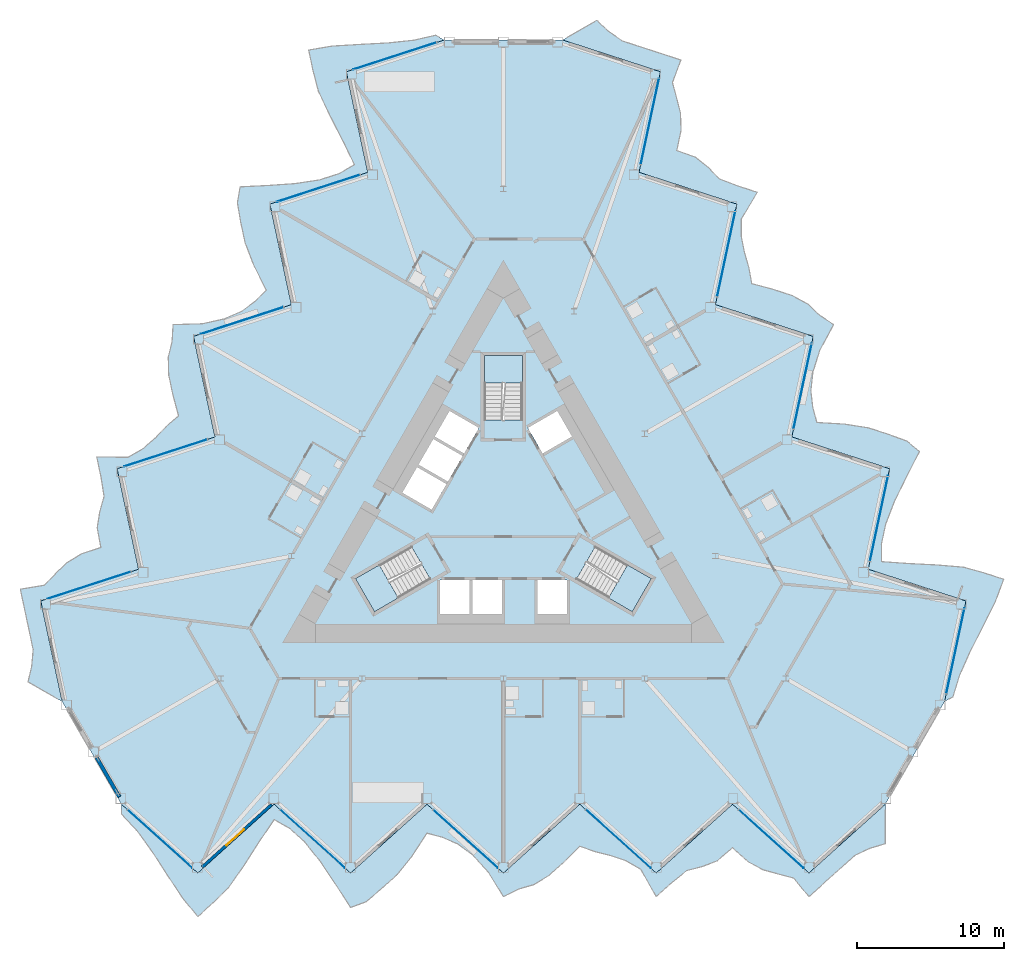
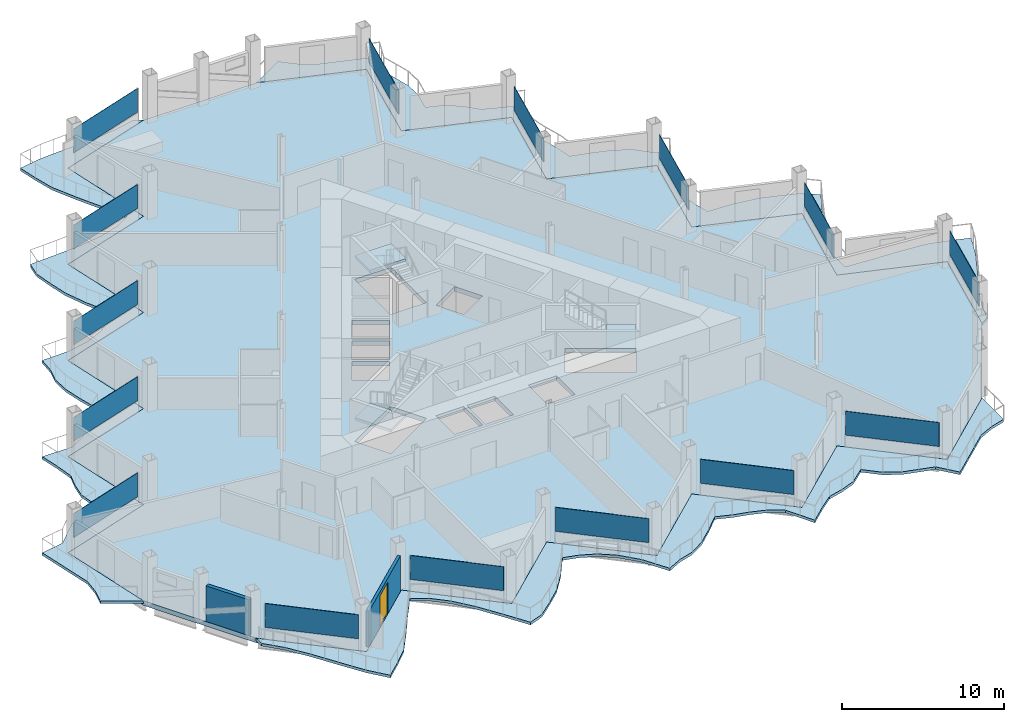
# One storey, part 10 of 23: 15 plates, 7 slabs, 2 walls, 1 door, 1 opening, 18 elements without a shape of their own.
"""IFC4 building model written with IfcOpenShell, lengths in metres."""

from ifc_helpers import new_model, si_unit, direction, frame, frame_2d, origin, origin_2d, place, context, subcontext, project, spatial, polyline, rectangle, outline, extrude, material, layer, layer_set, type_object, element, fill, aggregate, save


model = new_model("IFC4")

# Units and contexts
model_context = context("Model", 3, precision=1e-05, world=origin(), true_north=direction((0.0, 1.0)))
body_context = subcontext(model_context, "Body", "Model", "MODEL_VIEW")
ifc_project = project(units=[si_unit("LENGTHUNIT", "METRE"), si_unit("AREAUNIT", "SQUARE_METRE"), si_unit("VOLUMEUNIT", "CUBIC_METRE"), si_unit("PLANEANGLEUNIT", "RADIAN"), si_unit("MASSUNIT", "GRAM", prefix="KILO")], contexts=[model_context])

# Site, building, storey
site_placement = place(None, origin())
site = spatial("IfcSite", under=ifc_project, at=site_placement, CompositionType="ELEMENT")
building_placement = place(site_placement, origin())
building = spatial("IfcBuilding", under=site, at=building_placement, Name="Cormorant Prow Tower", CompositionType="ELEMENT")
storey_placement = place(building_placement, frame((0.0, 0.0, 252.60009765625)))
storey = spatial("IfcBuildingStorey", under=building, at=storey_placement, Name="L56", CompositionType="ELEMENT", Elevation=252.60009765625)

# Slabs
ifc_material_1 = material(Name="Concrete C40/50", Category="concrete")
ifc_layer_1 = layer(ifc_material_1, 0.199951171875)
ifc_layer_set_1 = layer_set([ifc_layer_1], Name="Concrete C40/50")
slab_type_1 = type_object("IfcSlabType", Name="Balcony slab 200", PredefinedType="FLOOR", material=ifc_layer_set_1)
slab_1_placement = place(storey_placement, frame((0.0, 0.0, -0.2001953125)))
element("IfcSlab", 1, at=slab_1_placement, inside=storey, type_object=slab_type_1, Name="Balcony slab S L56", PredefinedType="FLOOR", context=body_context, shape_type="SweptSolid", body=[
    extrude(outline(polyline([(-25.8974609375, -19.593505859375), (-25.8974609375, -20.243408203125), (-24.861572265625, -21.35888671875), (-23.82568359375, -22.7861328125), (-22.789794921875, -24.380859375), (-21.75390625, -25.949462890625), (-20.718017578125, -27.207275390625), (-19.68212890625, -26.2744140625), (-18.646240234375, -25.255615234375), (-17.6103515625, -23.767822265625), (-16.574462890625, -22.16064453125), (-15.53857421875, -20.630859375), (-14.502685546875, -21.21875), (-13.466796875, -22.15966796875), (-12.430908203125, -23.450927734375), (-11.39501953125, -24.98779296875), (-10.359130859375, -26.593994140625), (-9.322998046875, -26.20703125), (-8.287109375, -25.341796875), (-7.251220703125, -24.408935546875), (-6.21533203125, -23.126953125), (-5.179443359375, -21.552978515625), (-4.1435546875, -21.8271484375), (-3.107666015625, -22.2763671875), (-2.07177734375, -23.0419921875), (-1.035888671875, -24.1728515625), (0.0, -25.857177734375), (1.035888671875, -25.34326171875), (2.07177734375, -25.040771484375), (3.107666015625, -24.408935546875), (4.1435546875, -23.476318359375), (5.179443359375, -22.438232421875), (6.21533203125, -22.806884765625), (7.251220703125, -23.064208984375), (8.287109375, -23.40771484375), (9.322998046875, -24.009765625), (10.359130859375, -25.857177734375), (11.39501953125, -24.924560546875), (12.430908203125, -24.08447265625), (13.466796875, -23.82373046875), (14.502685546875, -23.427001953125), (15.53857421875, -22.54345703125), (16.574462890625, -23.476318359375), (17.6103515625, -24.03466796875), (18.646240234375, -24.3212890625), (19.68212890625, -24.599365234375), (20.718017578125, -25.857177734375), (21.75390625, -24.924560546875), (22.789794921875, -23.99169921875), (23.82568359375, -23.05908203125), (24.861572265625, -22.57470703125), (25.8974609375, -22.266357421875), (25.8974609375, -19.593505859375), (24.861572265625, -20.5263671875), (23.82568359375, -21.458984375), (22.789794921875, -22.3916015625), (21.75390625, -23.324462890625), (20.718017578125, -24.257080078125), (19.68212890625, -23.324462890625), (18.646240234375, -22.3916015625), (17.6103515625, -21.458984375), (16.574462890625, -20.5263671875), (15.53857421875, -19.593505859375), (14.502685546875, -20.5263671875), (13.466796875, -21.458984375), (12.430908203125, -22.3916015625), (11.39501953125, -23.324462890625), (10.359130859375, -24.257080078125), (9.322998046875, -23.324462890625), (8.287109375, -22.3916015625), (7.251220703125, -21.458984375), (6.21533203125, -20.5263671875), (5.179443359375, -19.593505859375), (4.1435546875, -20.5263671875), (3.107666015625, -21.458984375), (2.07177734375, -22.3916015625), (1.035888671875, -23.324462890625), (0.0, -24.257080078125), (-1.035888671875, -23.324462890625), (-2.07177734375, -22.3916015625), (-3.107666015625, -21.458984375), (-4.1435546875, -20.5263671875), (-5.179443359375, -19.593505859375), (-6.21533203125, -20.5263671875), (-7.251220703125, -21.458984375), (-8.287109375, -22.3916015625), (-9.322998046875, -23.324462890625), (-10.359130859375, -24.257080078125), (-11.39501953125, -23.324462890625), (-12.430908203125, -22.3916015625), (-13.466796875, -21.458984375), (-14.502685546875, -20.5263671875), (-15.53857421875, -19.593505859375), (-16.574462890625, -20.5263671875), (-17.6103515625, -21.458984375), (-18.646240234375, -22.3916015625), (-19.68212890625, -23.324462890625), (-20.718017578125, -24.257080078125), (-21.75390625, -23.324462890625), (-22.789794921875, -22.3916015625), (-23.82568359375, -21.458984375), (-24.861572265625, -20.5263671875), (-25.8974609375, -19.593505859375)])), origin(), (0.0, 0.0, 1.0), 0.2001953125),
])
slab_2_placement = place(storey_placement, frame((0.0, 0.0, -0.2001953125)))
element("IfcSlab", 2, at=slab_2_placement, inside=storey, type_object=slab_type_1, Name="Balcony slab ENE L56", PredefinedType="FLOOR", context=body_context, shape_type="SweptSolid", body=[
    extrude(outline(polyline([(29.917236328125, -12.631103515625), (30.480224609375, -12.30615234375), (30.92822265625, -10.851318359375), (31.646240234375, -9.240478515625), (32.50927734375, -7.546142578125), (33.349853515625, -5.86474609375), (33.921142578125, -4.3388671875), (32.595458984375, -3.907958984375), (31.195068359375, -3.520263671875), (29.388671875, -3.3671875), (27.478759765625, -3.273681640625), (25.63623046875, -3.141357421875), (25.62744140625, -1.9501953125), (25.924072265625, -0.582763671875), (26.5244140625, 0.9599609375), (27.337646484375, 2.625732421875), (28.210693359375, 4.325927734375), (27.357421875, 5.029541015625), (26.090087890625, 5.493896484375), (24.764404296875, 5.924560546875), (23.13623046875, 6.1806640625), (21.255126953125, 6.291015625), (20.974609375, 7.3251953125), (20.845703125, 8.44677734375), (20.990966796875, 9.726806640625), (21.452392578125, 11.189208984375), (22.39306640625, 12.928466796875), (21.429931640625, 13.56884765625), (20.650146484375, 14.314697265625), (19.5849609375, 14.895751953125), (18.25927734375, 15.32666015625), (16.84228515625, 15.70458984375), (16.6435546875, 16.7861328125), (16.3486328125, 17.81201171875), (16.128173828125, 18.880859375), (16.13134765625, 20.078857421875), (17.21337890625, 21.899658203125), (15.8876953125, 22.33056640625), (14.642333984375, 22.8076171875), (13.8984375, 23.57421875), (13.037109375, 24.273193359375), (11.75390625, 24.728515625), (12.043701171875, 26.092041015625), (12.009521484375, 27.268310546875), (11.73974609375, 28.308837890625), (11.462646484375, 29.344970703125), (12.033935546875, 30.870849609375), (10.708251953125, 31.3017578125), (9.382568359375, 31.732421875), (8.056884765625, 32.1630859375), (7.119384765625, 32.818115234375), (6.33447265625, 33.56103515625), (4.019775390625, 32.224609375), (5.345458984375, 31.7939453125), (6.671142578125, 31.36328125), (7.996826171875, 30.932373046875), (9.322509765625, 30.501708984375), (10.648193359375, 30.071044921875), (10.3583984375, 28.70751953125), (10.068603515625, 27.343994140625), (9.77880859375, 25.98046875), (9.489013671875, 24.616943359375), (9.19921875, 23.25341796875), (10.52490234375, 22.82275390625), (11.8505859375, 22.39208984375), (13.17626953125, 21.961181640625), (14.502197265625, 21.530517578125), (15.827880859375, 21.099853515625), (15.5380859375, 19.736328125), (15.248291015625, 18.372802734375), (14.958251953125, 17.00927734375), (14.66845703125, 15.645751953125), (14.378662109375, 14.2822265625), (15.704345703125, 13.8515625), (17.0302734375, 13.4208984375), (18.35595703125, 12.989990234375), (19.681640625, 12.559326171875), (21.00732421875, 12.128662109375), (20.717529296875, 10.76513671875), (20.427734375, 9.401611328125), (20.137939453125, 8.0380859375), (19.84814453125, 6.674560546875), (19.558349609375, 5.311279296875), (20.884033203125, 4.88037109375), (22.209716796875, 4.44970703125), (23.535400390625, 4.018798828125), (24.861083984375, 3.588134765625), (26.186767578125, 3.157470703125), (25.89697265625, 1.7939453125), (25.607177734375, 0.430419921875), (25.3173828125, -0.93310546875), (25.027587890625, -2.296630859375), (24.73779296875, -3.659912109375), (26.0634765625, -4.0908203125), (27.38916015625, -4.521484375), (28.71484375, -4.9521484375), (30.04052734375, -5.383056640625), (31.366455078125, -5.813720703125), (31.076416015625, -7.17724609375), (30.78662109375, -8.540771484375), (30.496826171875, -9.904296875), (30.20703125, -11.267578125), (29.917236328125, -12.631103515625)])), origin(), (0.0, 0.0, 1.0), 0.2001953125),
])
slab_3_placement = place(storey_placement, frame((0.0, 0.0, -0.2001953125)))
element("IfcSlab", 3, at=slab_3_placement, inside=storey, type_object=slab_type_1, Name="Balcony slab WNW L56", PredefinedType="FLOOR", context=body_context, shape_type="SweptSolid", body=[
    extrude(outline(polyline([(-4.019775390625, 32.224609375), (-4.58251953125, 32.5498046875), (-6.066650390625, 32.210205078125), (-7.820556640625, 32.02685546875), (-9.719482421875, 31.927001953125), (-11.595947265625, 31.814208984375), (-13.203125, 31.5458984375), (-12.913330078125, 30.182373046875), (-12.548828125, 28.77587890625), (-11.7783203125, 27.135009765625), (-10.904296875, 25.43408203125), (-10.09765625, 23.772216796875), (-11.124755859375, 23.1689453125), (-12.45751953125, 22.742431640625), (-14.09375, 22.490966796875), (-15.942626953125, 22.3623046875), (-17.8515625, 22.26806640625), (-18.034423828125, 21.177490234375), (-17.802978515625, 19.847900390625), (-17.51318359375, 18.484375), (-16.920654296875, 16.946044921875), (-16.07568359375, 15.261962890625), (-16.8310546875, 14.501953125), (-17.738037109375, 13.82958984375), (-18.919189453125, 13.315185546875), (-20.41650390625, 12.983642578125), (-22.39306640625, 12.928466796875), (-22.4658203125, 11.7744140625), (-22.721923828125, 10.72607421875), (-22.692626953125, 9.51318359375), (-22.40283203125, 8.149658203125), (-22.021728515625, 6.7333984375), (-22.85888671875, 6.020751953125), (-23.599853515625, 5.252197265625), (-24.415283203125, 4.52685546875), (-25.45458984375, 3.9306640625), (-27.572509765625, 3.95751953125), (-27.28271484375, 2.593994140625), (-27.0732421875, 1.27685546875), (-27.365234375, 0.249267578125), (-27.53955078125, -0.84619140625), (-27.29248046875, -2.18505859375), (-28.6181640625, -2.61572265625), (-29.619873046875, -3.233642578125), (-30.385986328125, -3.9873046875), (-31.144775390625, -4.74560546875), (-32.751953125, -5.013671875), (-32.462158203125, -6.377197265625), (-32.17236328125, -7.74072265625), (-31.882568359375, -9.104248046875), (-31.981201171875, -10.243408203125), (-32.23193359375, -11.294677734375), (-29.917236328125, -12.631103515625), (-30.20703125, -11.267578125), (-30.496826171875, -9.904296875), (-30.78662109375, -8.540771484375), (-31.076416015625, -7.17724609375), (-31.366455078125, -5.813720703125), (-30.04052734375, -5.383056640625), (-28.71484375, -4.9521484375), (-27.38916015625, -4.521484375), (-26.0634765625, -4.0908203125), (-24.73779296875, -3.659912109375), (-25.027587890625, -2.296630859375), (-25.3173828125, -0.93310546875), (-25.607177734375, 0.430419921875), (-25.89697265625, 1.7939453125), (-26.186767578125, 3.157470703125), (-24.861083984375, 3.588134765625), (-23.535400390625, 4.018798828125), (-22.209716796875, 4.44970703125), (-20.884033203125, 4.88037109375), (-19.558349609375, 5.311279296875), (-19.84814453125, 6.674560546875), (-20.137939453125, 8.0380859375), (-20.427734375, 9.401611328125), (-20.717529296875, 10.76513671875), (-21.00732421875, 12.128662109375), (-19.681640625, 12.559326171875), (-18.35595703125, 12.989990234375), (-17.0302734375, 13.4208984375), (-15.704345703125, 13.8515625), (-14.378662109375, 14.2822265625), (-14.66845703125, 15.645751953125), (-14.958251953125, 17.00927734375), (-15.248291015625, 18.372802734375), (-15.5380859375, 19.736328125), (-15.827880859375, 21.099853515625), (-14.502197265625, 21.530517578125), (-13.17626953125, 21.961181640625), (-11.8505859375, 22.39208984375), (-10.52490234375, 22.82275390625), (-9.19921875, 23.25341796875), (-9.489013671875, 24.616943359375), (-9.77880859375, 25.98046875), (-10.068603515625, 27.343994140625), (-10.3583984375, 28.70751953125), (-10.648193359375, 30.071044921875), (-9.322509765625, 30.501708984375), (-7.996826171875, 30.932373046875), (-6.671142578125, 31.36328125), (-5.345458984375, 31.7939453125), (-4.019775390625, 32.224609375)])), origin(), (0.0, 0.0, 1.0), 0.2001953125),
])

# Curtain wall, plate
ifc_material_2 = material(Name="Aluminium 6063-T6", Category="aluminium")
ifc_layer_2 = layer(ifc_material_2, 0.179931640625)
ifc_layer_set_2 = layer_set([ifc_layer_2], Name="Aluminium 6063-T6")
curtain_wall_type = type_object("IfcCurtainWallType", Name="Hotel unitised curtain wall 180", PredefinedType="NOTDEFINED", material=ifc_layer_set_2)
curtain_wall_1_placement = place(storey_placement, origin())
curtain_wall_1 = element("IfcCurtainWall", 4, at=curtain_wall_1_placement, inside=storey, type_object=curtain_wall_type, Name="Hotel curtain wall S00", PredefinedType="NOTDEFINED")
ifc_material_3 = material(Name="Clear glass", Category="glass")
ifc_layer_3 = layer(ifc_material_3, 0.028076171875)
ifc_layer_set_3 = layer_set([ifc_layer_3], Name="Clear glass")
plate_type = type_object("IfcPlateType", Name="Hotel glass panel 28", PredefinedType="CURTAIN_PANEL", material=ifc_layer_set_3)
plate_1_placement = place(storey_placement, frame((-23.285400390625, -21.9453125, 0.89990234375), z_axis=(0.0, 0.0, 1.0), x_axis=(0.743144829063, -0.669130602377, 0.0)))
plate_1 = element("IfcPlate", 5, at=plate_1_placement, type_object=plate_type, Name="Hotel glass panel S00", PredefinedType="CURTAIN_PANEL", context=body_context, shape_type="SweptSolid", body=[
    extrude(rectangle(XDim=5.90771484375, YDim=0.028076171875, at=origin_2d()), origin(), (0.0, 0.0, 1.0), 1.80078125),
])
aggregate(curtain_wall_1, [plate_1])

curtain_wall_2_placement = place(storey_placement, origin())
curtain_wall_2 = element("IfcCurtainWall", 6, at=curtain_wall_2_placement, inside=storey, type_object=curtain_wall_type, Name="Hotel curtain wall S02", PredefinedType="NOTDEFINED")
plate_2_placement = place(storey_placement, frame((-12.926513671875, -21.9453125, 0.89990234375), z_axis=(0.0, 0.0, 1.0), x_axis=(0.743144829063, -0.669130602377, 0.0)))
plate_2 = element("IfcPlate", 7, at=plate_2_placement, type_object=plate_type, Name="Hotel glass panel S02", PredefinedType="CURTAIN_PANEL", context=body_context, shape_type="SweptSolid", body=[
    extrude(rectangle(XDim=5.90771484375, YDim=0.028076171875, at=origin_2d()), origin(), (0.0, 0.0, 1.0), 1.80078125),
])
aggregate(curtain_wall_2, [plate_2])

curtain_wall_3_placement = place(storey_placement, origin())
curtain_wall_3 = element("IfcCurtainWall", 8, at=curtain_wall_3_placement, inside=storey, type_object=curtain_wall_type, Name="Hotel curtain wall S04", PredefinedType="NOTDEFINED")
plate_3_placement = place(storey_placement, frame((-2.5673828125, -21.9453125, 0.89990234375), z_axis=(0.0, 0.0, 1.0), x_axis=(0.743144829063, -0.669130602377, 0.0)))
plate_3 = element("IfcPlate", 9, at=plate_3_placement, type_object=plate_type, Name="Hotel glass panel S04", PredefinedType="CURTAIN_PANEL", context=body_context, shape_type="SweptSolid", body=[
    extrude(rectangle(XDim=5.90771484375, YDim=0.028076171875, at=origin_2d()), origin(), (0.0, 0.0, 1.0), 1.80078125),
])
aggregate(curtain_wall_3, [plate_3])

curtain_wall_4_placement = place(storey_placement, origin())
curtain_wall_4 = element("IfcCurtainWall", 10, at=curtain_wall_4_placement, inside=storey, type_object=curtain_wall_type, Name="Hotel curtain wall S06", PredefinedType="NOTDEFINED")
plate_4_placement = place(storey_placement, frame((7.79150390625, -21.9453125, 0.89990234375), z_axis=(0.0, 0.0, 1.0), x_axis=(0.743144829063, -0.669130602377, 0.0)))
plate_4 = element("IfcPlate", 11, at=plate_4_placement, type_object=plate_type, Name="Hotel glass panel S06", PredefinedType="CURTAIN_PANEL", context=body_context, shape_type="SweptSolid", body=[
    extrude(rectangle(XDim=5.90771484375, YDim=0.028076171875, at=origin_2d()), origin(), (0.0, 0.0, 1.0), 1.80078125),
])
aggregate(curtain_wall_4, [plate_4])

curtain_wall_5_placement = place(storey_placement, origin())
curtain_wall_5 = element("IfcCurtainWall", 12, at=curtain_wall_5_placement, inside=storey, type_object=curtain_wall_type, Name="Hotel curtain wall S08", PredefinedType="NOTDEFINED")
plate_5_placement = place(storey_placement, frame((18.150634765625, -21.9453125, 0.89990234375), z_axis=(0.0, 0.0, 1.0), x_axis=(0.743144829063, -0.669130602377, 0.0)))
plate_5 = element("IfcPlate", 13, at=plate_5_placement, type_object=plate_type, Name="Hotel glass panel S08", PredefinedType="CURTAIN_PANEL", context=body_context, shape_type="SweptSolid", body=[
    extrude(rectangle(XDim=5.90771484375, YDim=0.028076171875, at=origin_2d()), origin(), (0.0, 0.0, 1.0), 1.80078125),
])
aggregate(curtain_wall_5, [plate_5])

curtain_wall_6_placement = place(storey_placement, origin())
curtain_wall_6 = element("IfcCurtainWall", 14, at=curtain_wall_6_placement, inside=storey, type_object=curtain_wall_type, Name="Hotel curtain wall ENE00", PredefinedType="NOTDEFINED")
plate_6_placement = place(storey_placement, frame((30.64794921875, -9.193115234375, 0.89990234375), z_axis=(0.0, 0.0, 1.0), x_axis=(0.207911825822, 0.978147572038, 0.0)))
plate_6 = element("IfcPlate", 15, at=plate_6_placement, type_object=plate_type, Name="Hotel glass panel ENE00", PredefinedType="CURTAIN_PANEL", context=body_context, shape_type="SweptSolid", body=[
    extrude(rectangle(XDim=5.90771484375, YDim=0.028076171875, at=origin_2d()), origin(), (0.0, 0.0, 1.0), 1.80078125),
])
aggregate(curtain_wall_6, [plate_6])

curtain_wall_7_placement = place(storey_placement, origin())
curtain_wall_7 = element("IfcCurtainWall", 16, at=curtain_wall_7_placement, inside=storey, type_object=curtain_wall_type, Name="Hotel curtain wall ENE02", PredefinedType="NOTDEFINED")
plate_7_placement = place(storey_placement, frame((25.468505859375, -0.221923828125, 0.89990234375), z_axis=(0.0, 0.0, 1.0), x_axis=(0.207911688547, 0.978147601216, 0.0)))
plate_7 = element("IfcPlate", 17, at=plate_7_placement, type_object=plate_type, Name="Hotel glass panel ENE02", PredefinedType="CURTAIN_PANEL", context=body_context, shape_type="SweptSolid", body=[
    extrude(rectangle(XDim=5.90771484375, YDim=0.028076171875, at=origin_2d()), origin(), (0.0, 0.0, 1.0), 1.80078125),
])
aggregate(curtain_wall_7, [plate_7])

curtain_wall_8_placement = place(storey_placement, origin())
curtain_wall_8 = element("IfcCurtainWall", 18, at=curtain_wall_8_placement, inside=storey, type_object=curtain_wall_type, Name="Hotel curtain wall ENE04", PredefinedType="NOTDEFINED")
plate_8_placement = place(storey_placement, frame((20.2890625, 8.749267578125, 0.89990234375), z_axis=(0.0, 0.0, 1.0), x_axis=(0.207911825822, 0.978147572038, 0.0)))
plate_8 = element("IfcPlate", 19, at=plate_8_placement, type_object=plate_type, Name="Hotel glass panel ENE04", PredefinedType="CURTAIN_PANEL", context=body_context, shape_type="SweptSolid", body=[
    extrude(rectangle(XDim=5.90771484375, YDim=0.028076171875, at=origin_2d()), origin(), (0.0, 0.0, 1.0), 1.80078125),
])
aggregate(curtain_wall_8, [plate_8])

curtain_wall_9_placement = place(storey_placement, origin())
curtain_wall_9 = element("IfcCurtainWall", 20, at=curtain_wall_9_placement, inside=storey, type_object=curtain_wall_type, Name="Hotel curtain wall ENE06", PredefinedType="NOTDEFINED")
plate_9_placement = place(storey_placement, frame((15.109619140625, 17.720458984375, 0.89990234375), z_axis=(0.0, 0.0, 1.0), x_axis=(0.207911825822, 0.978147572038, 0.0)))
plate_9 = element("IfcPlate", 21, at=plate_9_placement, type_object=plate_type, Name="Hotel glass panel ENE06", PredefinedType="CURTAIN_PANEL", context=body_context, shape_type="SweptSolid", body=[
    extrude(rectangle(XDim=5.90771484375, YDim=0.028076171875, at=origin_2d()), origin(), (0.0, 0.0, 1.0), 1.80078125),
])
aggregate(curtain_wall_9, [plate_9])

curtain_wall_10_placement = place(storey_placement, origin())
curtain_wall_10 = element("IfcCurtainWall", 22, at=curtain_wall_10_placement, inside=storey, type_object=curtain_wall_type, Name="Hotel curtain wall ENE08", PredefinedType="NOTDEFINED")
plate_10_placement = place(storey_placement, frame((9.929931640625, 26.691650390625, 0.89990234375), z_axis=(0.0, 0.0, 1.0), x_axis=(0.207911688547, 0.978147601216, 0.0)))
plate_10 = element("IfcPlate", 23, at=plate_10_placement, type_object=plate_type, Name="Hotel glass panel ENE08", PredefinedType="CURTAIN_PANEL", context=body_context, shape_type="SweptSolid", body=[
    extrude(rectangle(XDim=5.90771484375, YDim=0.028076171875, at=origin_2d()), origin(), (0.0, 0.0, 1.0), 1.80078125),
])
aggregate(curtain_wall_10, [plate_10])

curtain_wall_11_placement = place(storey_placement, origin())
curtain_wall_11 = element("IfcCurtainWall", 24, at=curtain_wall_11_placement, inside=storey, type_object=curtain_wall_type, Name="Hotel curtain wall WNW00", PredefinedType="NOTDEFINED")
plate_11_placement = place(storey_placement, frame((-7.362548828125, 31.138427734375, 0.89990234375), z_axis=(0.0, 0.0, 1.0), x_axis=(-0.951056534174, -0.309016939349, 0.0)))
plate_11 = element("IfcPlate", 25, at=plate_11_placement, type_object=plate_type, Name="Hotel glass panel WNW00", PredefinedType="CURTAIN_PANEL", context=body_context, shape_type="SweptSolid", body=[
    extrude(rectangle(XDim=5.90771484375, YDim=0.028076171875, at=origin_2d()), origin(), (0.0, 0.0, 1.0), 1.80078125),
])
aggregate(curtain_wall_11, [plate_11])

curtain_wall_12_placement = place(storey_placement, origin())
curtain_wall_12 = element("IfcCurtainWall", 26, at=curtain_wall_12_placement, inside=storey, type_object=curtain_wall_type, Name="Hotel curtain wall WNW02", PredefinedType="NOTDEFINED")
plate_12_placement = place(storey_placement, frame((-12.5419921875, 22.16748046875, 0.89990234375), z_axis=(0.0, 0.0, 1.0), x_axis=(-0.951056534174, -0.309016939349, 0.0)))
plate_12 = element("IfcPlate", 27, at=plate_12_placement, type_object=plate_type, Name="Hotel glass panel WNW02", PredefinedType="CURTAIN_PANEL", context=body_context, shape_type="SweptSolid", body=[
    extrude(rectangle(XDim=5.90771484375, YDim=0.028076171875, at=origin_2d()), origin(), (0.0, 0.0, 1.0), 1.80078125),
])
aggregate(curtain_wall_12, [plate_12])

curtain_wall_13_placement = place(storey_placement, origin())
curtain_wall_13 = element("IfcCurtainWall", 28, at=curtain_wall_13_placement, inside=storey, type_object=curtain_wall_type, Name="Hotel curtain wall WNW04", PredefinedType="NOTDEFINED")
plate_13_placement = place(storey_placement, frame((-17.7216796875, 13.1962890625, 0.89990234375), z_axis=(0.0, 0.0, 1.0), x_axis=(-0.951056492009, -0.309017069121, 0.0)))
plate_13 = element("IfcPlate", 29, at=plate_13_placement, type_object=plate_type, Name="Hotel glass panel WNW04", PredefinedType="CURTAIN_PANEL", context=body_context, shape_type="SweptSolid", body=[
    extrude(rectangle(XDim=5.90771484375, YDim=0.028076171875, at=origin_2d()), origin(), (0.0, 0.0, 1.0), 1.80078125),
])
aggregate(curtain_wall_13, [plate_13])

curtain_wall_14_placement = place(storey_placement, origin())
curtain_wall_14 = element("IfcCurtainWall", 30, at=curtain_wall_14_placement, inside=storey, type_object=curtain_wall_type, Name="Hotel curtain wall WNW06", PredefinedType="NOTDEFINED")
plate_14_placement = place(storey_placement, frame((-22.901123046875, 4.22509765625, 0.89990234375), z_axis=(0.0, 0.0, 1.0), x_axis=(-0.951056534174, -0.309016939349, 0.0)))
plate_14 = element("IfcPlate", 31, at=plate_14_placement, type_object=plate_type, Name="Hotel glass panel WNW06", PredefinedType="CURTAIN_PANEL", context=body_context, shape_type="SweptSolid", body=[
    extrude(rectangle(XDim=5.90771484375, YDim=0.028076171875, at=origin_2d()), origin(), (0.0, 0.0, 1.0), 1.80078125),
])
aggregate(curtain_wall_14, [plate_14])

curtain_wall_15_placement = place(storey_placement, origin())
curtain_wall_15 = element("IfcCurtainWall", 32, at=curtain_wall_15_placement, inside=storey, type_object=curtain_wall_type, Name="Hotel curtain wall WNW08", PredefinedType="NOTDEFINED")
plate_15_placement = place(storey_placement, frame((-28.08056640625, -4.74609375, 0.89990234375), z_axis=(0.0, 0.0, 1.0), x_axis=(-0.951056534174, -0.309016939349, 0.0)))
plate_15 = element("IfcPlate", 33, at=plate_15_placement, type_object=plate_type, Name="Hotel glass panel WNW08", PredefinedType="CURTAIN_PANEL", context=body_context, shape_type="SweptSolid", body=[
    extrude(rectangle(XDim=5.90771484375, YDim=0.028076171875, at=origin_2d()), origin(), (0.0, 0.0, 1.0), 1.80078125),
])
aggregate(curtain_wall_15, [plate_15])

# Slab
ifc_material_4 = material(Name="Concrete C40/50", Category="concrete")
ifc_layer_4 = layer(ifc_material_4, 0.35009765625)
ifc_layer_set_4 = layer_set([ifc_layer_4], Name="Concrete C40/50")
slab_type_2 = type_object("IfcSlabType", Name="Post-tensioned flat slab 350", PredefinedType="FLOOR", material=ifc_layer_set_4)
slab_4_placement = place(storey_placement, frame((0.0, 0.0, -0.35009765625)))
element("IfcSlab", 34, at=slab_4_placement, inside=storey, type_object=slab_type_2, Name="Floor slab L56", PredefinedType="FLOOR", context=body_context, shape_type="SweptSolid", body=[
    extrude(outline(polyline([(-9.19921875, 23.25341796875), (-15.827880859375, 21.099853515625), (-14.378662109375, 14.2822265625), (-21.00732421875, 12.128662109375), (-19.558349609375, 5.311279296875), (-26.186767578125, 3.157470703125), (-24.73779296875, -3.659912109375), (-31.366455078125, -5.813720703125), (-29.917236328125, -12.631103515625), (-27.907470703125, -16.1123046875), (-25.8974609375, -19.593505859375), (-20.718017578125, -24.257080078125), (-15.53857421875, -19.593505859375), (-10.359130859375, -24.257080078125), (-5.179443359375, -19.593505859375), (0.0, -24.257080078125), (5.179443359375, -19.593505859375), (10.359130859375, -24.257080078125), (15.53857421875, -19.593505859375), (20.718017578125, -24.257080078125), (25.8974609375, -19.593505859375), (27.907470703125, -16.1123046875), (29.917236328125, -12.631103515625), (31.366455078125, -5.813720703125), (24.73779296875, -3.659912109375), (26.186767578125, 3.157470703125), (19.558349609375, 5.311279296875), (21.00732421875, 12.128662109375), (14.378662109375, 14.2822265625), (15.827880859375, 21.099853515625), (9.19921875, 23.25341796875), (10.648193359375, 30.071044921875), (4.019775390625, 32.224609375), (0.0, 32.224609375), (-4.019775390625, 32.224609375), (-10.648193359375, 30.071044921875), (-9.19921875, 23.25341796875)]), holes=[polyline([(-4.300048828125, -4.39990234375), (-2.300048828125, -4.39990234375), (-2.300048828125, -6.699951171875), (-4.300048828125, -6.699951171875), (-4.300048828125, -4.39990234375)]), polyline([(-0.10009765625, -4.39990234375), (-0.10009765625, -6.699951171875), (-2.10009765625, -6.699951171875), (-2.10009765625, -4.39990234375), (-0.10009765625, -4.39990234375)]), polyline([(4.300048828125, -6.699951171875), (2.300048828125, -6.699951171875), (2.300048828125, -4.39990234375), (4.300048828125, -4.39990234375), (4.300048828125, -6.699951171875)]), polyline([(4.65234375, 5.341796875), (2.660400390625, 4.19189453125), (1.660400390625, 5.923828125), (3.65234375, 7.073974609375), (4.65234375, 5.341796875)]), polyline([(-1.660400390625, 5.923828125), (-2.660400390625, 4.19189453125), (-4.65234375, 5.341796875), (-3.65234375, 7.073974609375), (-1.660400390625, 5.923828125)]), polyline([(-3.760498046875, 2.28662109375), (-5.75244140625, 3.4365234375), (-4.75244140625, 5.168701171875), (-2.760498046875, 4.018798828125), (-3.760498046875, 2.28662109375)]), polyline([(-6.852294921875, 1.53125), (-5.852294921875, 3.263427734375), (-3.860595703125, 2.11328125), (-4.860595703125, 0.38134765625), (-6.852294921875, 1.53125)]), polyline([(-4.947509765625, -4.3505859375), (-8.738037109375, -6.5390625), (-10.031982421875, -4.2978515625), (-6.241455078125, -2.109375), (-4.947509765625, -4.3505859375)]), polyline([(10.031982421875, -4.2978515625), (8.738037109375, -6.5390625), (4.947509765625, -4.3505859375), (6.241455078125, -2.109375), (10.031982421875, -4.2978515625)]), polyline([(1.2939453125, 10.8369140625), (1.2939453125, 6.459716796875), (-1.2939453125, 6.459716796875), (-1.2939453125, 10.8369140625), (1.2939453125, 10.8369140625)])]), origin(), (0.0, 0.0, 1.0), 0.35009765625),
])

# Stair, slab
ifc_material_5 = material(Name="Exit stair 20 risers")
stair_type = type_object("IfcStairType", Name="Exit stair 20 risers", PredefinedType="HALF_TURN_STAIR", material=ifc_material_5)
stair_1_placement = place(storey_placement, origin())
stair_1 = element("IfcStair", 35, at=stair_1_placement, inside=storey, type_object=stair_type, Name="L56 Exit stair ST1", PredefinedType="HALF_TURN_STAIR")
ifc_material_6 = material(Name="Concrete 5000 psi", Category="concrete")
ifc_layer_5 = layer(ifc_material_6, 0.199951171875)
ifc_layer_set_5 = layer_set([ifc_layer_5], Name="Concrete 5000 psi")
slab_type_3 = type_object("IfcSlabType", Name="Stair landing 200", PredefinedType="LANDING", material=ifc_layer_set_5)
slab_5_placement = place(storey_placement, frame((0.0, 0.0, 1.599853515625)))
slab_5 = element("IfcSlab", 36, at=slab_5_placement, type_object=slab_type_3, Name="ST1 landing 1", PredefinedType="LANDING", context=body_context, shape_type="SweptSolid", body=[
    extrude(outline(polyline([(-8.416748046875, -3.365234375), (-10.031982421875, -4.2978515625), (-8.738037109375, -6.5390625), (-7.122802734375, -5.6064453125), (-8.416748046875, -3.365234375)])), origin(), (0.0, 0.0, 1.0), 0.199951171875),
])
aggregate(stair_1, [slab_5])

stair_2_placement = place(storey_placement, origin())
stair_2 = element("IfcStair", 37, at=stair_2_placement, inside=storey, type_object=stair_type, Name="L56 Exit stair ST2", PredefinedType="HALF_TURN_STAIR")
slab_6_placement = place(storey_placement, frame((0.0, 0.0, 1.599853515625)))
slab_6 = element("IfcSlab", 38, at=slab_6_placement, type_object=slab_type_3, Name="ST2 landing 1", PredefinedType="LANDING", context=body_context, shape_type="SweptSolid", body=[
    extrude(outline(polyline([(7.122802734375, -5.6064453125), (8.738037109375, -6.5390625), (10.031982421875, -4.2978515625), (8.416748046875, -3.365234375), (7.122802734375, -5.6064453125)])), origin(), (0.0, 0.0, 1.0), 0.199951171875),
])
aggregate(stair_2, [slab_6])

stair_3_placement = place(storey_placement, origin())
stair_3 = element("IfcStair", 39, at=stair_3_placement, inside=storey, type_object=stair_type, Name="L56 Exit stair ST3", PredefinedType="HALF_TURN_STAIR")
slab_7_placement = place(storey_placement, frame((0.0, 0.0, 1.599853515625)))
slab_7 = element("IfcSlab", 40, at=slab_7_placement, type_object=slab_type_3, Name="ST3 landing 1", PredefinedType="LANDING", context=body_context, shape_type="SweptSolid", body=[
    extrude(outline(polyline([(1.2939453125, 8.971923828125), (1.2939453125, 10.8369140625), (-1.2939453125, 10.8369140625), (-1.2939453125, 8.971923828125), (1.2939453125, 8.971923828125)])), origin(), (0.0, 0.0, 1.0), 0.199951171875),
])
aggregate(stair_3, [slab_7])

# Wall
ifc_material_7 = material(Name="Terracotta", Category="masonry")
ifc_layer_6 = layer(ifc_material_7, 0.25)
ifc_layer_set_6 = layer_set([ifc_layer_6], Name="Terracotta")
wall_type_1 = type_object("IfcWallType", Name="Terracotta bay wall 250", PredefinedType="SOLIDWALL", material=ifc_layer_set_6)
wall_1_placement = place(storey_placement, frame((-27.57568359375, -16.436767578125, 0.0), z_axis=(0.0, 0.0, 1.0), x_axis=(0.499976998774, -0.866038683141, 0.0)))
element("IfcWall", 41, at=wall_1_placement, inside=storey, type_object=wall_type_1, Name="Terracotta bay wall WSW01", PredefinedType="SOLIDWALL", context=body_context, shape_type="SweptSolid", body=[
    extrude(rectangle(XDim=3.072021484375, YDim=0.25, at=frame_2d((1.5361328125, 0.0))), origin(), (0.0, 0.0, 1.0), 2.70068359375),
])

# Wall, opening, door
ifc_material_8 = material(Name="Terracotta", Category="masonry")
ifc_layer_7 = layer(ifc_material_8, 0.199951171875)
ifc_layer_set_7 = layer_set([ifc_layer_7], Name="Terracotta")
wall_type_2 = type_object("IfcWallType", Name="Terracotta jamb wall 200", PredefinedType="SOLIDWALL", material=ifc_layer_set_7)
wall_2_placement = place(storey_placement, frame((-20.41259765625, -23.84765625, 0.0), z_axis=(0.0, 0.0, 1.0), x_axis=(0.74314024121, 0.669135697668, 0.0)))
wall_2 = element("IfcWall", 42, at=wall_2_placement, inside=storey, type_object=wall_type_2, Name="Terracotta jamb wall S01", PredefinedType="SOLIDWALL", context=body_context, shape_type="SweptSolid", body=[
    extrude(rectangle(XDim=6.31103515625, YDim=0.199951171875, at=frame_2d((3.155517578125, 0.0))), origin(), (0.0, 0.0, 1.0), 2.70068359375),
])
opening_placement = place(wall_2_placement, frame((2.183837890625, 0.0, 0.0)))
opening = element("IfcOpeningElement", 43, at=opening_placement, cuts=wall_2, Name="Opening ED56.01", PredefinedType="OPENING", context=body_context, shape_type="SweptSolid", body=[
    extrude(rectangle(XDim=1.60009765625, YDim=2.39990234375, at=frame_2d((0.800048828125, 1.199951171875))), frame((0.0, 0.10986328125, 0.0), z_axis=(0.0, -1.0, 0.0), x_axis=(1.0, 0.0, 0.0)), (0.0, 0.0, 1.0), 0.219970703125),
])
ifc_material_9 = material(Name="Aluminium 6063-T6", Category="aluminium")
door_type = type_object("IfcDoorType", Name="Balcony door 1600x2400", OperationType="DOUBLE_DOOR_SINGLE_SWING", PredefinedType="DOOR", material=ifc_material_9)
door_placement = place(opening_placement, origin())
door = element("IfcDoor", 44, at=door_placement, inside=storey, type_object=door_type, Name="Balcony door S01 ED56.01", OperationType="DOUBLE_DOOR_SINGLE_SWING", OverallHeight=2.39990234375, OverallWidth=1.60009765625, PredefinedType="DOOR", context=body_context, shape_type="SweptSolid", body=[
    extrude(rectangle(XDim=1.60009765625, YDim=2.39990234375, at=frame_2d((0.800048828125, 1.199951171875))), frame((0.0, 0.02490234375, 0.0), z_axis=(0.0, -1.0, 0.0), x_axis=(1.0, 0.0, 0.0)), (0.0, 0.0, 1.0), 0.050048828125),
])
fill(opening, door)

save(model, "model.ifc")
